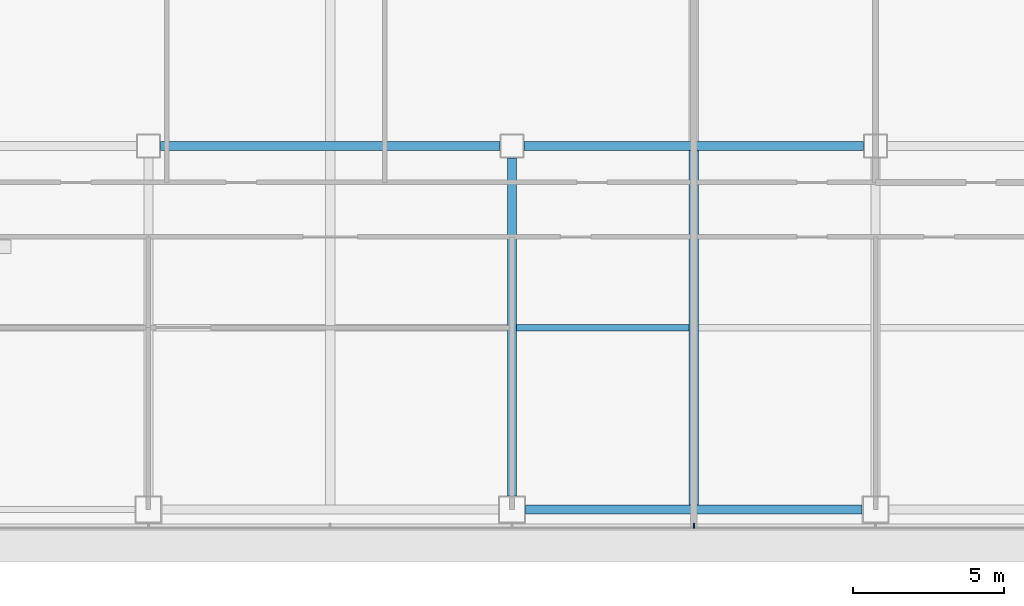
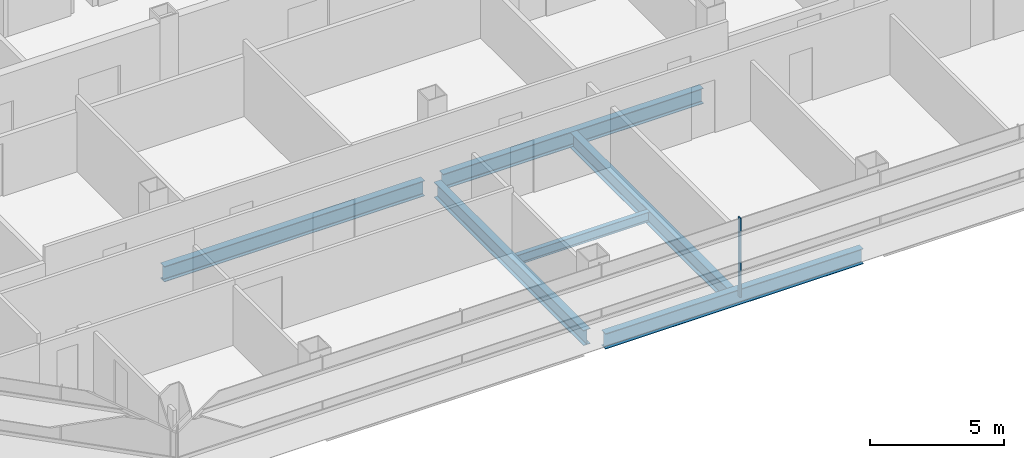
# One storey, part 3 of 27: 6 beams, 1 member, 1 element without a shape of its own.
"""IFC4 building model written with IfcOpenShell, lengths in metres."""

from ifc_helpers import new_model, si_unit, direction, frame, origin, origin_2d, place, context, subcontext, project, spatial, rectangle, i_section, extrude, material, material_profile, profile_set, type_object, element, aggregate, save


model = new_model("IFC4")

# Units and contexts
model_context = context("Model", 3, precision=1e-05, world=origin(), true_north=direction((0.0, 1.0)))
body_context = subcontext(model_context, "Body", "Model", "MODEL_VIEW")
ifc_project = project(units=[si_unit("LENGTHUNIT", "METRE"), si_unit("AREAUNIT", "SQUARE_METRE"), si_unit("VOLUMEUNIT", "CUBIC_METRE"), si_unit("PLANEANGLEUNIT", "RADIAN"), si_unit("MASSUNIT", "GRAM", prefix="KILO")], contexts=[model_context])

# Site, building, storey
site_placement = place(None, origin())
site = spatial("IfcSite", under=ifc_project, at=site_placement, CompositionType="ELEMENT")
building_placement = place(site_placement, origin())
building = spatial("IfcBuilding", under=site, at=building_placement, Name="Sorahane Residences", CompositionType="ELEMENT")
storey_placement = place(building_placement, frame((0.0, 0.0, 75.0)))
storey = spatial("IfcBuildingStorey", under=building, at=storey_placement, Name="L15", CompositionType="ELEMENT", Elevation=75.0)

# Curtain wall, member
ifc_material_1 = material(Name="Dark low-e glass and black anodised aluminium", Category="aluminium")
curtain_wall_type = type_object("IfcCurtainWallType", Name="Curtain wall CW-1 Typical unitised wall", PredefinedType="NOTDEFINED", material=ifc_material_1)
curtain_wall_placement = place(storey_placement, origin())
curtain_wall = element("IfcCurtainWall", 1, at=curtain_wall_placement, inside=storey, type_object=curtain_wall_type, Name="CW-1 curtain wall L15 S1", PredefinedType="NOTDEFINED")
ifc_material_2 = material(Name="Black anodised aluminium", Category="aluminium")
ifc_material_profile_1 = material_profile(ifc_material_2, rectangle(XDim=0.159912109375, YDim=0.050048828125, at=origin_2d()), Name="Curtain wall mullion CW-1 black anodised aluminium 50x160")
ifc_profile_set_1 = profile_set([ifc_material_profile_1], Name="Black anodised aluminium")
member_type = type_object("IfcMemberType", Name="Curtain wall mullion CW-1 black anodised aluminium 50x160", PredefinedType="MULLION", material=ifc_profile_set_1)
member_placement = place(storey_placement, frame((30.0, -0.5400390625, -0.179931640625), z_axis=(0.0, 0.0, 1.0), x_axis=(0.0, -1.0, 0.0)))
member = element("IfcMember", 2, at=member_placement, type_object=member_type, Name="CW-1 mullion L15 S1.5", PredefinedType="MULLION", context=body_context, shape_type="SweptSolid", body=[
    extrude(rectangle(XDim=0.159912109375, YDim=0.050048828125, at=origin_2d()), origin(), (0.0, 0.0, 1.0), 3.599853515625),
])
aggregate(curtain_wall, [member])

# Beams
ifc_material_3 = material(Name="Steel Q355B", Category="steel")
ifc_material_profile_2 = material_profile(ifc_material_3, i_section(OverallWidth=0.199951171875, OverallDepth=0.449951171875, WebThickness=0.009033203125, FlangeThickness=0.013916015625, FilletRadius=0.02001953125, at=origin_2d()), Name="HN 450x200x9x14")
ifc_profile_set_2 = profile_set([ifc_material_profile_2], Name="Steel Q355B")
beam_type_1 = type_object("IfcBeamType", Name="Steel floor beam HN 450x200x9x14 Q355B", PredefinedType="BEAM", material=ifc_profile_set_2)
beam_1_placement = place(storey_placement, frame((24.14990234375, 6.0, -0.405029296875), z_axis=(1.0, 0.0, 0.0), x_axis=(0.0, 1.0, 0.0)))
element("IfcBeam", 3, at=beam_1_placement, inside=storey, type_object=beam_type_1, Name="Beam L15 065", PredefinedType="BEAM", context=body_context, shape_type="SweptSolid", body=[
    extrude(i_section(OverallWidth=0.199951171875, OverallDepth=0.449951171875, WebThickness=0.009033203125, FlangeThickness=0.013916015625, FilletRadius=0.02001953125, at=origin_2d()), origin(), (0.0, 0.0, 1.0), 5.7001953125),
])
ifc_material_4 = material(Name="Steel Q355B", Category="steel")
ifc_material_profile_3 = material_profile(ifc_material_4, i_section(OverallWidth=0.300048828125, OverallDepth=0.699951171875, WebThickness=0.012939453125, FlangeThickness=0.02392578125, FilletRadius=0.028076171875, at=origin_2d()), Name="HN 700x300x13x24")
ifc_profile_set_3 = profile_set([ifc_material_profile_3], Name="Steel Q355B")
beam_type_2 = type_object("IfcBeamType", Name="Steel floor beam HN 700x300x13x24 Q355B", PredefinedType="BEAM", material=ifc_profile_set_3)
beam_2_placement = place(storey_placement, frame((24.449951171875, 0.0, -0.530029296875), z_axis=(1.0, 0.0, 0.0), x_axis=(0.0, 1.0, 0.0)))
element("IfcBeam", 4, at=beam_2_placement, inside=storey, type_object=beam_type_2, Name="Beam L15 002", PredefinedType="BEAM", context=body_context, shape_type="SweptSolid", body=[
    extrude(i_section(OverallWidth=0.300048828125, OverallDepth=0.699951171875, WebThickness=0.012939453125, FlangeThickness=0.02392578125, FilletRadius=0.028076171875, at=origin_2d()), origin(), (0.0, 0.0, 1.0), 11.10009765625),
])
for number, where, z_axis, x_axis, name in (
    (5, (12.39990234375, 12.0, -0.530029296875), (1.0, 0.0, 0.0), (0.0, 1.0, 0.0), "Beam L15 006"),
    (6, (24.39990234375, 12.0, -0.530029296875), (1.0, 0.0, 0.0), (0.0, 1.0, 0.0), "Beam L15 007"),
):
    element("IfcBeam", number, at=place(storey_placement, frame(where, z_axis=z_axis, x_axis=x_axis)), inside=storey, type_object=beam_type_2, Name=name, PredefinedType="BEAM", context=body_context, shape_type="SweptSolid", body=[
        extrude(i_section(OverallWidth=0.300048828125, OverallDepth=0.699951171875, WebThickness=0.012939453125, FlangeThickness=0.02392578125, FilletRadius=0.028076171875, at=origin_2d()), origin(), (0.0, 0.0, 1.0), 11.2001953125),
    ])
beam_3_placement = place(storey_placement, frame((24.0, 0.449951171875, -0.530029296875), z_axis=(0.0, 1.0, 0.0), x_axis=(-1.0, 0.0, 0.0)))
element("IfcBeam", 7, at=beam_3_placement, inside=storey, type_object=beam_type_2, Name="Beam L15 035", PredefinedType="BEAM", context=body_context, shape_type="SweptSolid", body=[
    extrude(i_section(OverallWidth=0.300048828125, OverallDepth=0.699951171875, WebThickness=0.012939453125, FlangeThickness=0.02392578125, FilletRadius=0.028076171875, at=origin_2d()), origin(), (0.0, 0.0, 1.0), 11.150146484375),
])
beam_4_placement = place(storey_placement, frame((30.0, 0.14990234375, -0.530029296875), z_axis=(0.0, 1.0, 0.0), x_axis=(-1.0, 0.0, 0.0)))
element("IfcBeam", 8, at=beam_4_placement, inside=storey, type_object=beam_type_2, Name="Beam L15 037", PredefinedType="BEAM", context=body_context, shape_type="SweptSolid", body=[
    extrude(i_section(OverallWidth=0.300048828125, OverallDepth=0.699951171875, WebThickness=0.012939453125, FlangeThickness=0.02392578125, FilletRadius=0.028076171875, at=origin_2d()), origin(), (0.0, 0.0, 1.0), 11.7001953125),
])

save(model, "model.ifc")
